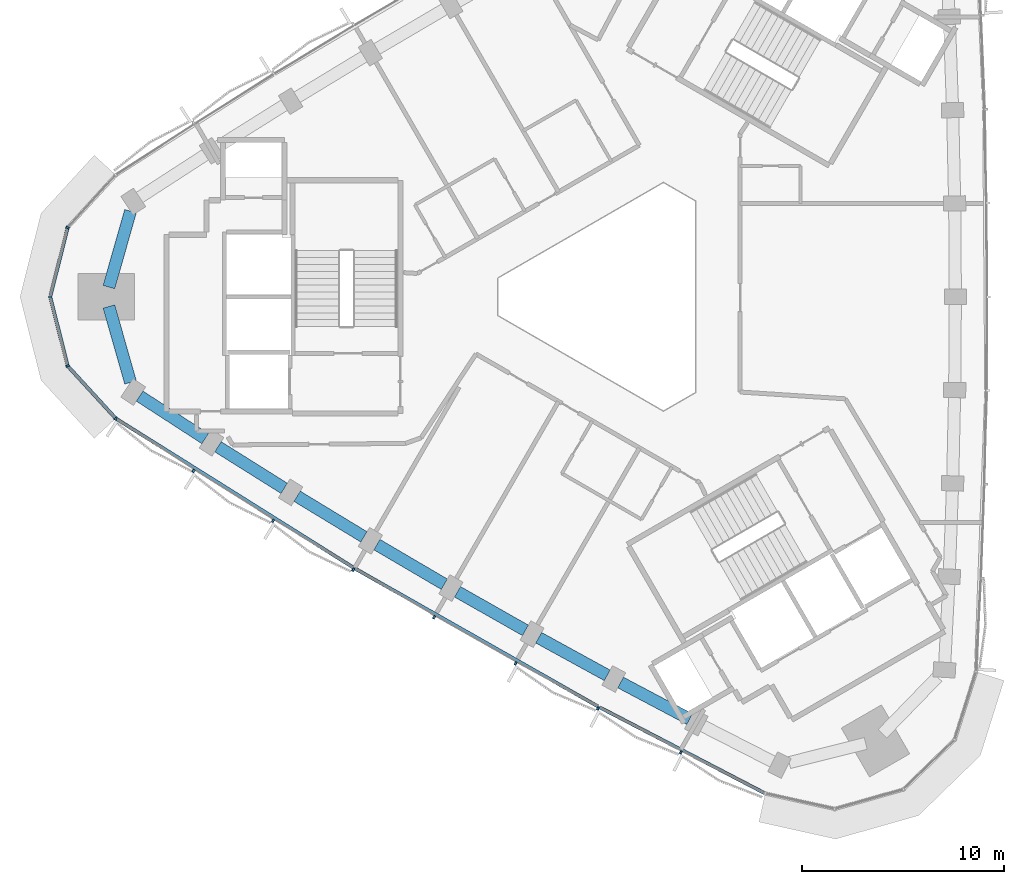
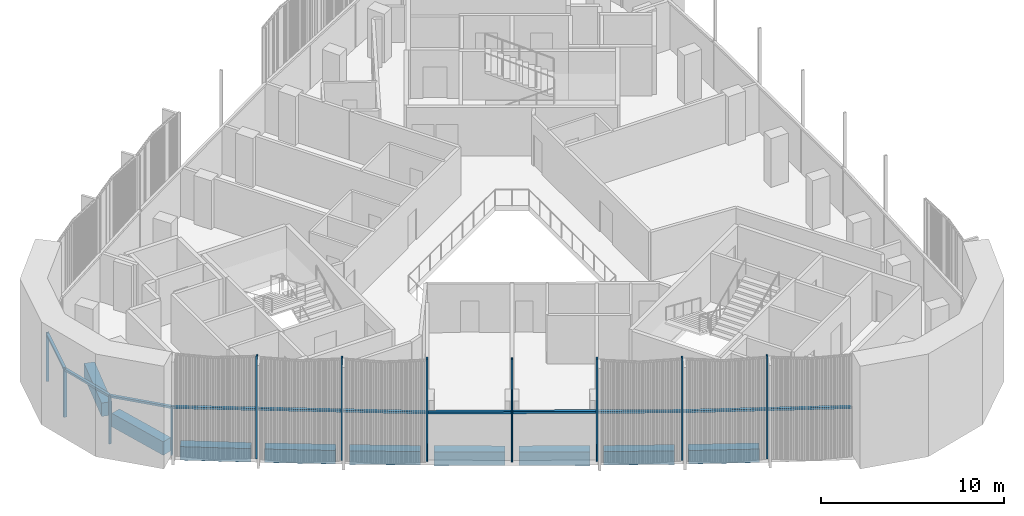
# One storey, part 2 of 14: 17 members, 9 beams, 2 elements without a shape of their own.
"""IFC4 building model written with IfcOpenShell, lengths in metres."""

from ifc_helpers import new_model, si_unit, direction, frame, origin, origin_2d, place, context, subcontext, project, spatial, rectangle, extrude, material, material_profile, profile_set, type_object, element, aggregate, save


model = new_model("IFC4")

# Units and contexts
model_context = context("Model", 3, precision=1e-05, world=origin(), true_north=direction((0.0, 1.0)))
body_context = subcontext(model_context, "Body", "Model", "MODEL_VIEW")
ifc_project = project(units=[si_unit("LENGTHUNIT", "METRE"), si_unit("AREAUNIT", "SQUARE_METRE"), si_unit("VOLUMEUNIT", "CUBIC_METRE"), si_unit("PLANEANGLEUNIT", "RADIAN"), si_unit("MASSUNIT", "GRAM", prefix="KILO")], contexts=[model_context])

# Site, building, storey
site_placement = place(None, origin())
site = spatial("IfcSite", under=ifc_project, at=site_placement, CompositionType="ELEMENT")
building_placement = place(site_placement, origin())
building = spatial("IfcBuilding", under=site, at=building_placement, Name="Tamra Quay Hotel Tower", CompositionType="ELEMENT")
storey_placement = place(building_placement, frame((0.0, 0.0, 221.39990234375)))
storey = spatial("IfcBuildingStorey", under=building, at=storey_placement, Name="L55", CompositionType="ELEMENT", Elevation=221.39990234375)

# Curtain wall, members
ifc_material_1 = material(Name="Aluminium 6063 anodised dark grey", Category="aluminium")
curtain_wall_type_1 = type_object("IfcCurtainWallType", Name="CW2 CURTAIN WALL", PredefinedType="NOTDEFINED", material=ifc_material_1)
curtain_wall_1_placement = place(storey_placement, origin())
curtain_wall_1 = element("IfcCurtainWall", 1, at=curtain_wall_1_placement, inside=storey, type_object=curtain_wall_type_1, Name="CW2 north-west face L55", PredefinedType="NOTDEFINED")
ifc_material_profile_1 = material_profile(ifc_material_1, rectangle(XDim=0.169921875, YDim=0.10009765625, at=origin_2d()), Name="MULLION 100X170")
ifc_profile_set_1 = profile_set([ifc_material_profile_1], Name="Aluminium 6063 anodised dark grey")
member_type_1 = type_object("IfcMemberType", Name="MULLION CW2 Z5", PredefinedType="MULLION", material=ifc_profile_set_1)
member_1_placement = place(storey_placement, frame((-27.329345703125, 3.427734375, 0.0), z_axis=(0.0, 0.0, 1.0), x_axis=(-0.880266804781, 0.474479032624, 0.0)))
member_1 = element("IfcMember", 2, at=member_1_placement, type_object=member_type_1, Name="CW2 mullion L55.NW.10", PredefinedType="MULLION", context=body_context, shape_type="SweptSolid", body=[
    extrude(rectangle(XDim=0.169921875, YDim=0.10009765625, at=origin_2d()), origin(), (0.0, 0.0, 1.0), 3.25),
])
member_2_placement = place(storey_placement, frame((-28.1943359375, 0.0, 0.0), z_axis=(0.0, 0.0, 1.0), x_axis=(-1.0, 0.0, 0.0)))
member_2 = element("IfcMember", 3, at=member_2_placement, type_object=member_type_1, Name="CW2 mullion L55.NW.11", PredefinedType="MULLION", context=body_context, shape_type="SweptSolid", body=[
    extrude(rectangle(XDim=0.169921875, YDim=0.10009765625, at=origin_2d()), origin(), (0.0, 0.0, 1.0), 3.25),
])
member_3_placement = place(storey_placement, frame((-27.329345703125, -3.427734375, 0.0), z_axis=(0.0, 0.0, 1.0), x_axis=(-0.880266804781, -0.474479032624, 0.0)))
member_3 = element("IfcMember", 4, at=member_3_placement, type_object=member_type_1, Name="CW2 mullion L55.NW.12", PredefinedType="MULLION", context=body_context, shape_type="SweptSolid", body=[
    extrude(rectangle(XDim=0.169921875, YDim=0.10009765625, at=origin_2d()), origin(), (0.0, 0.0, 1.0), 3.25),
])

curtain_wall_type_2 = type_object("IfcCurtainWallType", Name="CW3 CURTAIN WALL", PredefinedType="NOTDEFINED", material=ifc_material_1)
curtain_wall_2_placement = place(storey_placement, origin())
curtain_wall_2 = element("IfcCurtainWall", 5, at=curtain_wall_2_placement, inside=storey, type_object=curtain_wall_type_2, Name="CW3 south-west face L55", PredefinedType="NOTDEFINED")
ifc_material_profile_2 = material_profile(ifc_material_1, rectangle(XDim=0.169921875, YDim=0.10009765625, at=origin_2d()), Name="MULLION 100X170")
ifc_profile_set_2 = profile_set([ifc_material_profile_2], Name="Aluminium 6063 anodised dark grey")
member_type_2 = type_object("IfcMemberType", Name="MULLION CW3 Z5", PredefinedType="MULLION", material=ifc_profile_set_2)
member_4_placement = place(storey_placement, frame((-24.941650390625, -6.034423828125, 0.0), z_axis=(0.0, 0.0, 1.0), x_axis=(-0.645846473255, -0.763467309702, 0.0)))
member_4 = element("IfcMember", 6, at=member_4_placement, type_object=member_type_2, Name="CW3 mullion L55.SW.1", PredefinedType="MULLION", context=body_context, shape_type="SweptSolid", body=[
    extrude(rectangle(XDim=0.169921875, YDim=0.10009765625, at=origin_2d()), origin(), (0.0, 0.0, 1.0), 3.25),
])
member_5_placement = place(storey_placement, frame((-21.086669921875, -8.634033203125, 0.0), z_axis=(0.0, 0.0, 1.0), x_axis=(-0.537684349575, -0.84314621521, 0.0)))
member_5 = element("IfcMember", 7, at=member_5_placement, type_object=member_type_2, Name="CW3 mullion L55.SW.2", PredefinedType="MULLION", context=body_context, shape_type="SweptSolid", body=[
    extrude(rectangle(XDim=0.169921875, YDim=0.10009765625, at=origin_2d()), origin(), (0.0, 0.0, 1.0), 6.85009765625),
])
member_6_placement = place(storey_placement, frame((-17.14794921875, -11.10546875, 0.0), z_axis=(0.0, 0.0, 1.0), x_axis=(-0.525248894611, -0.850948646341, 0.0)))
member_6 = element("IfcMember", 8, at=member_6_placement, type_object=member_type_2, Name="CW3 mullion L55.SW.3", PredefinedType="MULLION", context=body_context, shape_type="SweptSolid", body=[
    extrude(rectangle(XDim=0.169921875, YDim=0.10009765625, at=origin_2d()), origin(), (0.0, 0.0, 1.0), 6.85009765625),
])
member_7_placement = place(storey_placement, frame((-13.173828125, -13.518310546875, 0.0), z_axis=(0.0, 0.0, 1.0), x_axis=(-0.512687492758, -0.858575293594, 0.0)))
member_7 = element("IfcMember", 9, at=member_7_placement, type_object=member_type_2, Name="CW3 mullion L55.SW.4", PredefinedType="MULLION", context=body_context, shape_type="SweptSolid", body=[
    extrude(rectangle(XDim=0.169921875, YDim=0.10009765625, at=origin_2d()), origin(), (0.0, 0.0, 1.0), 6.85009765625),
])
member_8_placement = place(storey_placement, frame((-9.1640625, -15.872802734375, 0.0), z_axis=(0.0, 0.0, 1.0), x_axis=(-0.5, -0.866025403784, 0.0)))
member_8 = element("IfcMember", 10, at=member_8_placement, type_object=member_type_2, Name="CW3 mullion L55.SW.5", PredefinedType="MULLION", context=body_context, shape_type="SweptSolid", body=[
    extrude(rectangle(XDim=0.169921875, YDim=0.10009765625, at=origin_2d()), origin(), (0.0, 0.0, 1.0), 6.85009765625),
])
member_9_placement = place(storey_placement, frame((-5.1201171875, -18.168212890625, 0.0), z_axis=(0.0, 0.0, 1.0), x_axis=(-0.487204268935, -0.873288039728, 0.0)))
member_9 = element("IfcMember", 11, at=member_9_placement, type_object=member_type_2, Name="CW3 mullion L55.SW.6", PredefinedType="MULLION", context=body_context, shape_type="SweptSolid", body=[
    extrude(rectangle(XDim=0.169921875, YDim=0.10009765625, at=origin_2d()), origin(), (0.0, 0.0, 1.0), 6.85009765625),
])
member_10_placement = place(storey_placement, frame((-1.043701171875, -20.4033203125, 0.0), z_axis=(0.0, 0.0, 1.0), x_axis=(-0.474318697742, -0.880353209213, 0.0)))
member_10 = element("IfcMember", 12, at=member_10_placement, type_object=member_type_2, Name="CW3 mullion L55.SW.7", PredefinedType="MULLION", context=body_context, shape_type="SweptSolid", body=[
    extrude(rectangle(XDim=0.169921875, YDim=0.10009765625, at=origin_2d()), origin(), (0.0, 0.0, 1.0), 6.85009765625),
])
member_11_placement = place(storey_placement, frame((3.06591796875, -22.57861328125, 0.0), z_axis=(0.0, 0.0, 1.0), x_axis=(-0.461343866689, -0.887221413554, 0.0)))
member_11 = element("IfcMember", 13, at=member_11_placement, type_object=member_type_2, Name="CW3 mullion L55.SW.8", PredefinedType="MULLION", context=body_context, shape_type="SweptSolid", body=[
    extrude(rectangle(XDim=0.169921875, YDim=0.10009765625, at=origin_2d()), origin(), (0.0, 0.0, 1.0), 6.85009765625),
])

# Beams
ifc_material_2 = material(Name="Concrete M60", Category="concrete")
ifc_material_profile_3 = material_profile(ifc_material_2, rectangle(XDim=0.60009765625, YDim=0.89990234375, at=origin_2d()), Name="SPANDREL BEAM RC 600x900")
ifc_profile_set_3 = profile_set([ifc_material_profile_3], Name="Concrete M60")
beam_type = type_object("IfcBeamType", Name="SPANDREL BEAM RC 600x900", PredefinedType="SPANDREL", material=ifc_profile_set_3)
for number, where, z_axis, x_axis, name in (
    (14, (-24.2119140625, 4.24365234375, -0.7998046875), (-0.273913429616, -0.961754351732, 0.0), (0.961754351732, -0.273913429616, 0.0), "BM-SP5-018-L55"),
    (15, (-25.28369140625, -0.48046875, -0.7998046875), (0.273913429616, -0.961754351732, 0.0), (0.961754351732, 0.273913429616, 0.0), "BM-SP5-019-L55"),
):
    element("IfcBeam", number, at=place(storey_placement, frame(where, z_axis=z_axis, x_axis=x_axis)), inside=storey, type_object=beam_type, Name=name, PredefinedType="SPANDREL", context=body_context, shape_type="SweptSolid", body=[
        extrude(rectangle(XDim=0.60009765625, YDim=0.89990234375, at=origin_2d()), origin(), (0.0, 0.0, 1.0), 3.912841796875),
    ])
beam_1_placement = place(storey_placement, frame((-23.76171875, -4.923583984375, -0.7998046875), z_axis=(0.839181205466, -0.543851914029, 0.0), x_axis=(0.543851914029, 0.839181205466, 0.0)))
element("IfcBeam", 16, at=beam_1_placement, inside=storey, type_object=beam_type, Name="BM-SP5-020-L55", PredefinedType="SPANDREL", context=body_context, shape_type="SweptSolid", body=[
    extrude(rectangle(XDim=0.60009765625, YDim=0.89990234375, at=origin_2d()), origin(), (0.0, 0.0, 1.0), 3.87548828125),
])
beam_2_placement = place(storey_placement, frame((-19.877197265625, -7.4345703125, -0.7998046875), z_axis=(0.847066119134, -0.53148752555, 0.0), x_axis=(0.53148752555, 0.847066119134, 0.0)))
element("IfcBeam", 17, at=beam_2_placement, inside=storey, type_object=beam_type, Name="BM-SP5-021-L55", PredefinedType="SPANDREL", context=body_context, shape_type="SweptSolid", body=[
    extrude(rectangle(XDim=0.60009765625, YDim=0.89990234375, at=origin_2d()), origin(), (0.0, 0.0, 1.0), 3.875),
])
beam_3_placement = place(storey_placement, frame((-15.95654296875, -9.887939453125, -0.7998046875), z_axis=(0.854785519234, -0.518981421737, 0.0), x_axis=(0.518981421737, 0.854785519234, 0.0)))
element("IfcBeam", 18, at=beam_3_placement, inside=storey, type_object=beam_type, Name="BM-SP5-022-L55", PredefinedType="SPANDREL", context=body_context, shape_type="SweptSolid", body=[
    extrude(rectangle(XDim=0.60009765625, YDim=0.89990234375, at=origin_2d()), origin(), (0.0, 0.0, 1.0), 3.875732421875),
])
beam_4_placement = place(storey_placement, frame((-11.999755859375, -12.283935546875, -0.7998046875), z_axis=(0.862324287816, -0.506356418585, 0.0), x_axis=(0.506356418585, 0.862324287816, 0.0)))
element("IfcBeam", 19, at=beam_4_placement, inside=storey, type_object=beam_type, Name="BM-SP5-023-L55", PredefinedType="SPANDREL", context=body_context, shape_type="SweptSolid", body=[
    extrude(rectangle(XDim=0.60009765625, YDim=0.89990234375, at=origin_2d()), origin(), (0.0, 0.0, 1.0), 3.875),
])
beam_5_placement = place(storey_placement, frame((-8.008544921875, -14.62109375, -0.7998046875), z_axis=(0.86967787455, -0.493619686113, 0.0), x_axis=(0.493619686113, 0.86967787455, 0.0)))
element("IfcBeam", 20, at=beam_5_placement, inside=storey, type_object=beam_type, Name="BM-SP5-024-L55", PredefinedType="SPANDREL", context=body_context, shape_type="SweptSolid", body=[
    extrude(rectangle(XDim=0.60009765625, YDim=0.89990234375, at=origin_2d()), origin(), (0.0, 0.0, 1.0), 3.875244140625),
])
beam_6_placement = place(storey_placement, frame((-3.9833984375, -16.8994140625, -0.7998046875), z_axis=(0.876838966376, -0.480784179279, 0.0), x_axis=(0.480784179279, 0.876838966376, 0.0)))
element("IfcBeam", 21, at=beam_6_placement, inside=storey, type_object=beam_type, Name="BM-SP5-025-L55", PredefinedType="SPANDREL", context=body_context, shape_type="SweptSolid", body=[
    extrude(rectangle(XDim=0.60009765625, YDim=0.89990234375, at=origin_2d()), origin(), (0.0, 0.0, 1.0), 3.87548828125),
])
beam_7_placement = place(storey_placement, frame((0.0751953125, -19.118408203125, -0.7998046875), z_axis=(0.883803240878, -0.467858772937, 0.0), x_axis=(0.467858772937, 0.883803240878, 0.0)))
element("IfcBeam", 22, at=beam_7_placement, inside=storey, type_object=beam_type, Name="BM-SP5-026-L55", PredefinedType="SPANDREL", context=body_context, shape_type="SweptSolid", body=[
    extrude(rectangle(XDim=0.60009765625, YDim=0.89990234375, at=origin_2d()), origin(), (0.0, 0.0, 1.0), 3.875),
])

# Member
ifc_material_profile_4 = material_profile(ifc_material_1, rectangle(XDim=0.169921875, YDim=0.139892578125, at=origin_2d()), Name="TRANSOM 170X140")
ifc_profile_set_4 = profile_set([ifc_material_profile_4], Name="Aluminium 6063 anodised dark grey")
member_type_3 = type_object("IfcMemberType", Name="TRANSOM CW2 Z5", PredefinedType="USERDEFINED", material=ifc_profile_set_4)
member_12_placement = place(storey_placement, frame((-27.341552734375, 3.379150390625, 3.18017578125), z_axis=(-0.244709055597, -0.969596554299, 0.0), x_axis=(0.969596554299, -0.244709055597, 0.0)))
member_12 = element("IfcMember", 23, at=member_12_placement, type_object=member_type_3, Name="CW2 transom L55.NW.10", ObjectType="TRANSOM", PredefinedType="USERDEFINED", context=body_context, shape_type="SweptSolid", body=[
    extrude(rectangle(XDim=0.169921875, YDim=0.139892578125, at=origin_2d()), origin(), (0.0, 0.0, 1.0), 3.43505859375),
])

member_13_placement = place(storey_placement, frame((-28.18212890625, -0.048583984375, 3.18017578125), z_axis=(0.244709055597, -0.969596554299, 0.0), x_axis=(0.969596554299, 0.244709055597, 0.0)))
member_13 = element("IfcMember", 24, at=member_13_placement, type_object=member_type_3, Name="CW2 transom L55.NW.11", ObjectType="TRANSOM", PredefinedType="USERDEFINED", context=body_context, shape_type="SweptSolid", body=[
    extrude(rectangle(XDim=0.169921875, YDim=0.139892578125, at=origin_2d()), origin(), (0.0, 0.0, 1.0), 3.43505859375),
])

member_14_placement = place(storey_placement, frame((-27.295654296875, -3.464599609375, 3.18017578125), z_axis=(0.675476773907, -0.737381263603, 0.0), x_axis=(0.737381263603, 0.675476773907, 0.0)))
member_14 = element("IfcMember", 25, at=member_14_placement, type_object=member_type_3, Name="CW2 transom L55.NW.12", ObjectType="TRANSOM", PredefinedType="USERDEFINED", context=body_context, shape_type="SweptSolid", body=[
    extrude(rectangle(XDim=0.169921875, YDim=0.139892578125, at=origin_2d()), origin(), (0.0, 0.0, 1.0), 3.43505859375),
])

aggregate(curtain_wall_1, [member_1, member_12, member_2, member_13, member_3, member_14])

ifc_material_profile_5 = material_profile(ifc_material_1, rectangle(XDim=0.169921875, YDim=0.139892578125, at=origin_2d()), Name="TRANSOM 170X140")
ifc_profile_set_5 = profile_set([ifc_material_profile_5], Name="Aluminium 6063 anodised dark grey")
member_type_4 = type_object("IfcMemberType", Name="TRANSOM CW3 Z5", PredefinedType="USERDEFINED", material=ifc_profile_set_5)
member_15_placement = place(storey_placement, frame((-24.899658203125, -6.061767578125, 3.18017578125), z_axis=(0.847069654587, -0.531481890829, 0.0), x_axis=(0.531481890829, 0.847069654587, 0.0)))
member_15 = element("IfcMember", 26, at=member_15_placement, type_object=member_type_4, Name="CW3 transom L55.SW.1", ObjectType="TRANSOM", PredefinedType="USERDEFINED", context=body_context, shape_type="SweptSolid", body=[
    extrude(rectangle(XDim=0.169921875, YDim=0.139892578125, at=origin_2d()), origin(), (0.0, 0.0, 1.0), 13.84375),
])

member_16_placement = place(storey_placement, frame((-13.087158203125, -13.470703125, 3.18017578125), z_axis=(0.869679572469, -0.493616694642, 0.0), x_axis=(0.493616694642, 0.869679572469, 0.0)))
member_16 = element("IfcMember", 27, at=member_16_placement, type_object=member_type_4, Name="CW3 transom L55.SW.4", ObjectType="TRANSOM", PredefinedType="USERDEFINED", context=body_context, shape_type="SweptSolid", body=[
    extrude(rectangle(XDim=0.169921875, YDim=0.139892578125, at=origin_2d()), origin(), (0.0, 0.0, 1.0), 13.84423828125),
])

member_17_placement = place(storey_placement, frame((-0.959228515625, -20.351806640625, 3.18017578125), z_axis=(0.887215931947, -0.461354408345, 0.0), x_axis=(0.461354408345, 0.887215931947, 0.0)))
member_17 = element("IfcMember", 28, at=member_17_placement, type_object=member_type_4, Name="CW3 transom L55.SW.7", ObjectType="TRANSOM", PredefinedType="USERDEFINED", context=body_context, shape_type="SweptSolid", body=[
    extrude(rectangle(XDim=0.169921875, YDim=0.139892578125, at=origin_2d()), origin(), (0.0, 0.0, 1.0), 9.19677734375),
])

aggregate(curtain_wall_2, [member_4, member_15, member_5, member_6, member_7, member_16, member_8, member_9, member_10, member_17, member_11])

save(model, "model.ifc")
